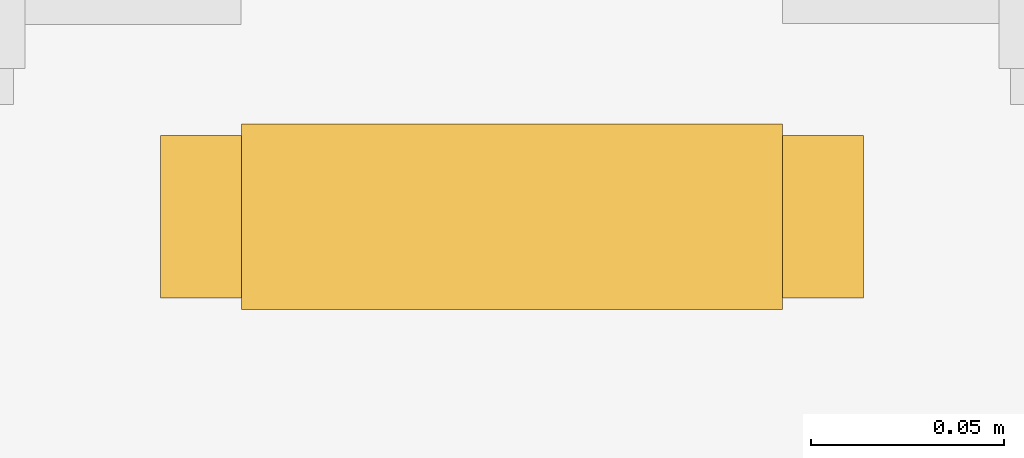
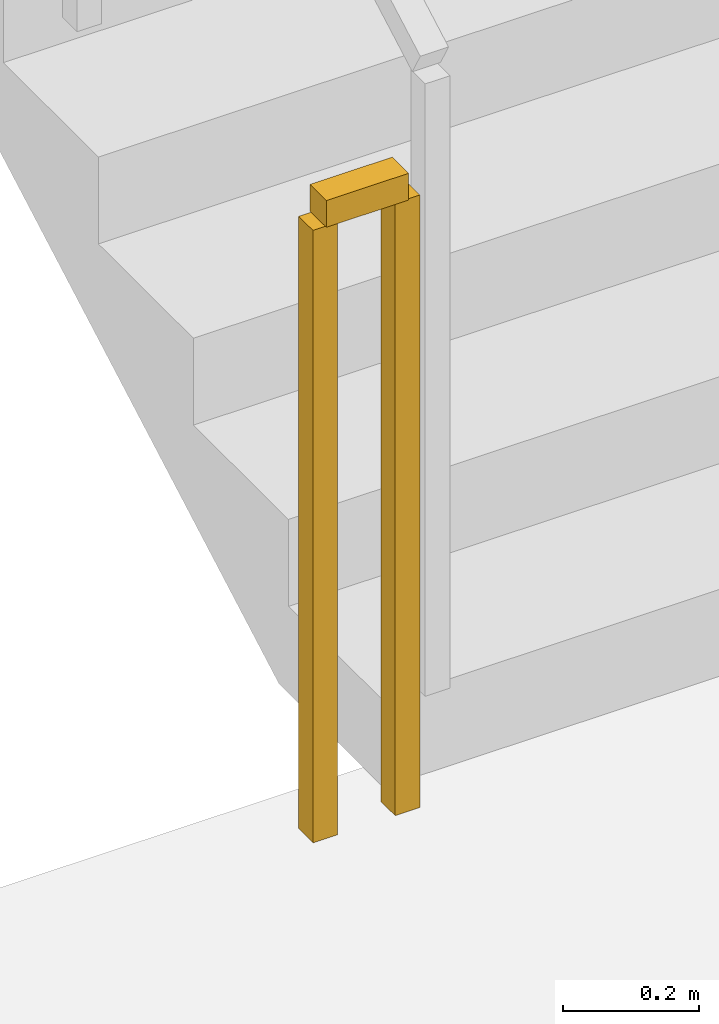
# One storey, part 8 of 10: 1 railing.
"""IFC4 building model written with IfcOpenShell, lengths in metres."""

from ifc_helpers import new_model, si_unit, direction, frame, origin, origin_2d, place, context, subcontext, project, spatial, rectangle, extrude, material, type_object, element, save


model = new_model("IFC4")

# Units and contexts
model_context = context("Model", 3, precision=1e-05, world=origin(), true_north=direction((0.0, 1.0)))
body_context = subcontext(model_context, "Body", "Model", "MODEL_VIEW")
ifc_project = project(units=[si_unit("LENGTHUNIT", "METRE"), si_unit("AREAUNIT", "SQUARE_METRE"), si_unit("VOLUMEUNIT", "CUBIC_METRE"), si_unit("PLANEANGLEUNIT", "RADIAN"), si_unit("MASSUNIT", "GRAM", prefix="KILO")], contexts=[model_context])

# Site, building, storey
site_placement = place(None, origin())
site = spatial("IfcSite", under=ifc_project, at=site_placement, CompositionType="ELEMENT")
building_placement = place(site_placement, origin())
building = spatial("IfcBuilding", under=site, at=building_placement, Name="Liaohun Quay Tower", CompositionType="ELEMENT")
storey_placement = place(building_placement, frame((0.0, 0.0, 194.25)))
storey = spatial("IfcBuildingStorey", under=building, at=storey_placement, Name="L50", CompositionType="ELEMENT", Elevation=194.25)

# Railing
ifc_material = material(Name="Painted tubular steel", Category="steel")
railing_type = type_object("IfcRailingType", Name="RLG-GUARD-STR", PredefinedType="GUARDRAIL", material=ifc_material)
railing_placement = place(storey_placement, frame((48.72998046875, 48.300048828125, 0.0)))
element("IfcRailing", 1, at=railing_placement, inside=storey, type_object=railing_type, Name="L50 ST-1 stair guard 4", PredefinedType="GUARDRAIL", context=body_context, shape_type="SweptSolid", body=[
    extrude(rectangle(XDim=0.048095703125, YDim=0.048095703125, at=origin_2d()), frame((0.0, 0.0, 1.1259765625), z_axis=(-1.0, 0.0, 0.0), x_axis=(0.0, -1.0, 0.0)), (0.0, 0.0, 1.0), 0.139892578125),
    extrude(rectangle(XDim=0.0419921875, YDim=0.0419921875, at=origin_2d()), origin(), (0.0, 0.0, 1.0), 1.101806640625),
    extrude(rectangle(XDim=0.0419921875, YDim=0.0419921875, at=origin_2d()), frame((-0.139892578125, 0.0, 0.0)), (0.0, 0.0, 1.0), 1.101806640625),
])

save(model, "model.ifc")
